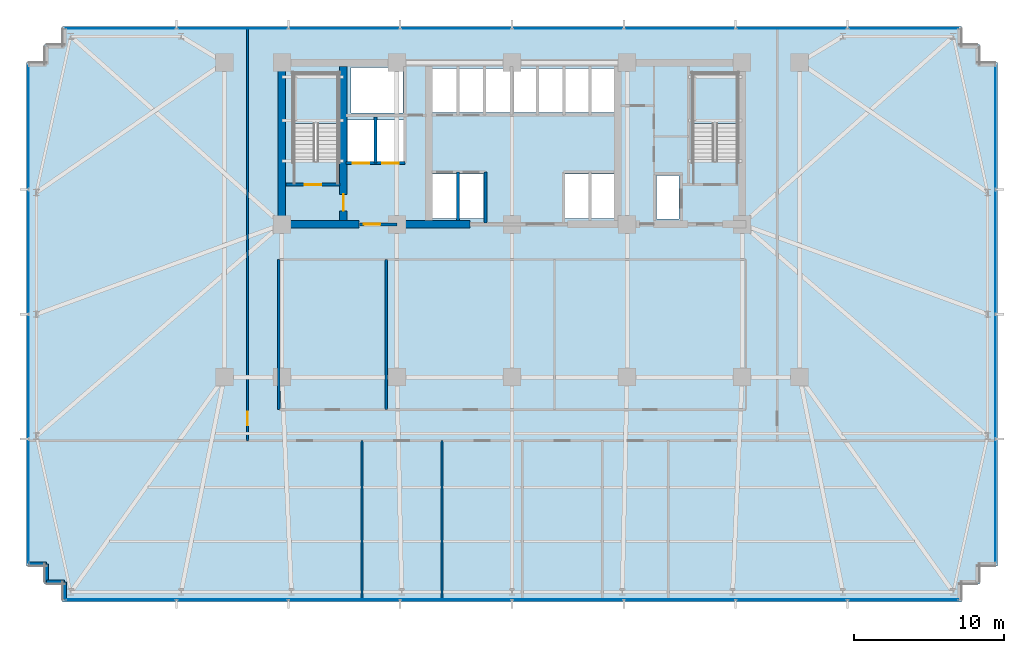
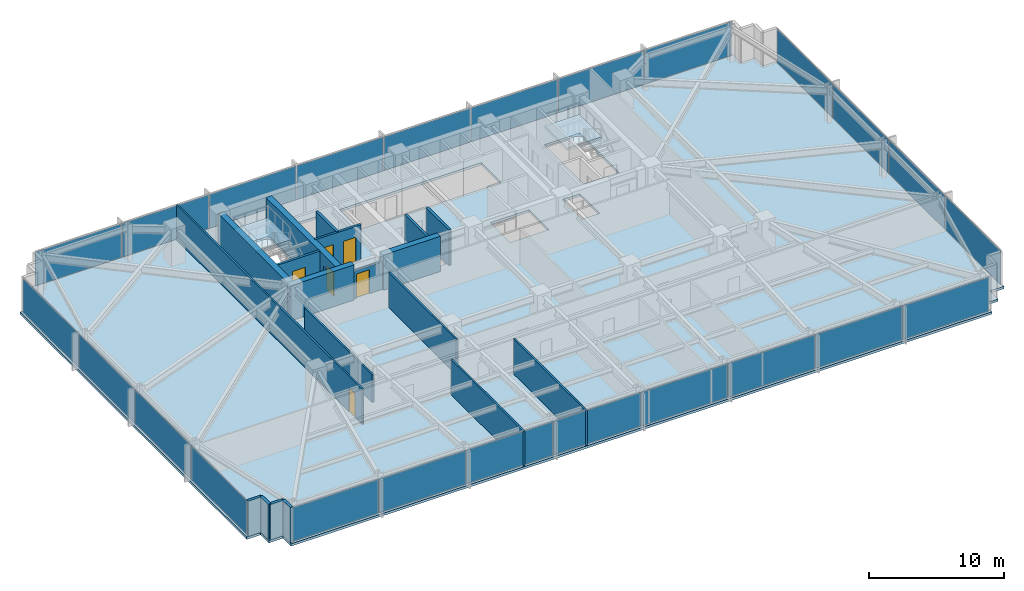
# One storey, part 24 of 32: 24 plates, 19 walls, 6 doors, 3 slabs, 6 openings, 6 elements without a shape of their own.
"""IFC4 building model written with IfcOpenShell, lengths in metres."""

from ifc_helpers import new_model, si_unit, direction, frame, frame_2d, origin, origin_2d, place, context, subcontext, project, spatial, polyline, rectangle, outline, extrude, material, layer, layer_set, type_object, element, fill, aggregate, save


model = new_model("IFC4")

# Units and contexts
model_context = context("Model", 3, precision=1e-05, world=origin(), true_north=direction((0.0, 1.0)))
body_context = subcontext(model_context, "Body", "Model", "MODEL_VIEW")
ifc_project = project(units=[si_unit("LENGTHUNIT", "METRE"), si_unit("AREAUNIT", "SQUARE_METRE"), si_unit("VOLUMEUNIT", "CUBIC_METRE"), si_unit("PLANEANGLEUNIT", "RADIAN"), si_unit("MASSUNIT", "GRAM", prefix="KILO")], contexts=[model_context])

# Site, building, storey
site_placement = place(None, origin())
site = spatial("IfcSite", under=ifc_project, at=site_placement, CompositionType="ELEMENT")
building_placement = place(site_placement, origin())
building = spatial("IfcBuilding", under=site, at=building_placement, Name="Yelkora Congress Tower", CompositionType="ELEMENT")
storey_placement = place(building_placement, frame((0.0, 0.0, 40.60009765625)))
storey = spatial("IfcBuildingStorey", under=building, at=storey_placement, Name="L09", CompositionType="ELEMENT", Elevation=40.60009765625)

# Curtain wall, plates
ifc_material_1 = material(Name="Anodised aluminium and insulated glass", Category="aluminium")
curtain_wall_type = type_object("IfcCurtainWallType", Name="CW-SYS-B1", PredefinedType="NOTDEFINED", material=ifc_material_1)
curtain_wall_1_placement = place(storey_placement, origin())
curtain_wall_1 = element("IfcCurtainWall", 1, at=curtain_wall_1_placement, inside=storey, type_object=curtain_wall_type, Name="L09 Unitised Curtain Wall 5", PredefinedType="NOTDEFINED")
ifc_material_2 = material(Name="Solar-control low-E glass unit B1", Category="glass")
ifc_layer_1 = layer(ifc_material_2, 0.0400390625)
ifc_layer_set_1 = layer_set([ifc_layer_1], Name="Solar-control low-E glass unit B1")
plate_type = type_object("IfcPlateType", Name="PLT-PN-B1", PredefinedType="CURTAIN_PANEL", material=ifc_layer_set_1)
plate_1_placement = place(storey_placement, frame((6.139892578125, 16.923828125, 0.06494140625), z_axis=(0.0, 0.0, 1.0), x_axis=(0.0, 1.0, 0.0)))
plate_1 = element("IfcPlate", 2, at=plate_1_placement, type_object=plate_type, Name="CW-B1 panel 1.1", PredefinedType="CURTAIN_PANEL", context=body_context, shape_type="SweptSolid", body=[
    extrude(rectangle(XDim=8.217529296875, YDim=0.0400390625, at=origin_2d()), origin(), (0.0, 0.0, 1.0), 3.050048828125),
])
plate_2_placement = place(storey_placement, frame((6.139892578125, 25.235107421875, 0.06494140625), z_axis=(0.0, 0.0, 1.0), x_axis=(0.0, 1.0, 0.0)))
plate_2 = element("IfcPlate", 3, at=plate_2_placement, type_object=plate_type, Name="CW-B1 panel 2.1", PredefinedType="CURTAIN_PANEL", context=body_context, shape_type="SweptSolid", body=[
    extrude(rectangle(XDim=8.2548828125, YDim=0.0400390625, at=origin_2d()), origin(), (0.0, 0.0, 1.0), 3.050048828125),
])
plate_3_placement = place(storey_placement, frame((6.139892578125, 33.56494140625, 0.06494140625), z_axis=(0.0, 0.0, 1.0), x_axis=(0.0, 1.0, 0.0)))
plate_3 = element("IfcPlate", 4, at=plate_3_placement, type_object=plate_type, Name="CW-B1 panel 3.1", PredefinedType="CURTAIN_PANEL", context=body_context, shape_type="SweptSolid", body=[
    extrude(rectangle(XDim=8.2548828125, YDim=0.0400390625, at=origin_2d()), origin(), (0.0, 0.0, 1.0), 3.050048828125),
])
plate_4_placement = place(storey_placement, frame((6.139892578125, 41.876220703125, 0.06494140625), z_axis=(0.0, 0.0, 1.0), x_axis=(0.0, 1.0, 0.0)))
plate_4 = element("IfcPlate", 5, at=plate_4_placement, type_object=plate_type, Name="CW-B1 panel 4.1", PredefinedType="CURTAIN_PANEL", context=body_context, shape_type="SweptSolid", body=[
    extrude(rectangle(XDim=8.217529296875, YDim=0.0400390625, at=origin_2d()), origin(), (0.0, 0.0, 1.0), 3.050048828125),
])
aggregate(curtain_wall_1, [plate_1, plate_2, plate_3, plate_4])

curtain_wall_2_placement = place(storey_placement, origin())
curtain_wall_2 = element("IfcCurtainWall", 6, at=curtain_wall_2_placement, inside=storey, type_object=curtain_wall_type, Name="L09 Unitised Curtain Wall 10", PredefinedType="NOTDEFINED")
plate_5_placement = place(storey_placement, frame((12.291259765625, 48.4599609375, 0.06494140625), z_axis=(0.0, 0.0, 1.0), x_axis=(1.0, 0.0, 0.0)))
plate_5 = element("IfcPlate", 7, at=plate_5_placement, type_object=plate_type, Name="CW-B1 panel 1.1", PredefinedType="CURTAIN_PANEL", context=body_context, shape_type="SweptSolid", body=[
    extrude(rectangle(XDim=7.3525390625, YDim=0.0400390625, at=origin_2d()), origin(), (0.0, 0.0, 1.0), 3.050048828125),
])
plate_6_placement = place(storey_placement, frame((19.737548828125, 48.4599609375, 0.06494140625), z_axis=(0.0, 0.0, 1.0), x_axis=(1.0, 0.0, 0.0)))
plate_6 = element("IfcPlate", 8, at=plate_6_placement, type_object=plate_type, Name="CW-B1 panel 2.1", PredefinedType="CURTAIN_PANEL", context=body_context, shape_type="SweptSolid", body=[
    extrude(rectangle(XDim=7.389892578125, YDim=0.0400390625, at=origin_2d()), origin(), (0.0, 0.0, 1.0), 3.050048828125),
])
plate_7_placement = place(storey_placement, frame((27.202392578125, 48.4599609375, 0.06494140625), z_axis=(0.0, 0.0, 1.0), x_axis=(1.0, 0.0, 0.0)))
plate_7 = element("IfcPlate", 9, at=plate_7_placement, type_object=plate_type, Name="CW-B1 panel 3.1", PredefinedType="CURTAIN_PANEL", context=body_context, shape_type="SweptSolid", body=[
    extrude(rectangle(XDim=7.389892578125, YDim=0.0400390625, at=origin_2d()), origin(), (0.0, 0.0, 1.0), 3.050048828125),
])
plate_8_placement = place(storey_placement, frame((34.66748046875, 48.4599609375, 0.06494140625), z_axis=(0.0, 0.0, 1.0), x_axis=(1.0, 0.0, 0.0)))
plate_8 = element("IfcPlate", 10, at=plate_8_placement, type_object=plate_type, Name="CW-B1 panel 4.1", PredefinedType="CURTAIN_PANEL", context=body_context, shape_type="SweptSolid", body=[
    extrude(rectangle(XDim=7.389892578125, YDim=0.0400390625, at=origin_2d()), origin(), (0.0, 0.0, 1.0), 3.050048828125),
])
plate_9_placement = place(storey_placement, frame((42.132568359375, 48.4599609375, 0.06494140625), z_axis=(0.0, 0.0, 1.0), x_axis=(1.0, 0.0, 0.0)))
plate_9 = element("IfcPlate", 11, at=plate_9_placement, type_object=plate_type, Name="CW-B1 panel 5.1", PredefinedType="CURTAIN_PANEL", context=body_context, shape_type="SweptSolid", body=[
    extrude(rectangle(XDim=7.389892578125, YDim=0.0400390625, at=origin_2d()), origin(), (0.0, 0.0, 1.0), 3.050048828125),
])
plate_10_placement = place(storey_placement, frame((49.597412109375, 48.4599609375, 0.06494140625), z_axis=(0.0, 0.0, 1.0), x_axis=(1.0, 0.0, 0.0)))
plate_10 = element("IfcPlate", 12, at=plate_10_placement, type_object=plate_type, Name="CW-B1 panel 6.1", PredefinedType="CURTAIN_PANEL", context=body_context, shape_type="SweptSolid", body=[
    extrude(rectangle(XDim=7.389892578125, YDim=0.0400390625, at=origin_2d()), origin(), (0.0, 0.0, 1.0), 3.050048828125),
])
plate_11_placement = place(storey_placement, frame((57.0625, 48.4599609375, 0.06494140625), z_axis=(0.0, 0.0, 1.0), x_axis=(1.0, 0.0, 0.0)))
plate_11 = element("IfcPlate", 13, at=plate_11_placement, type_object=plate_type, Name="CW-B1 panel 7.1", PredefinedType="CURTAIN_PANEL", context=body_context, shape_type="SweptSolid", body=[
    extrude(rectangle(XDim=7.389892578125, YDim=0.0400390625, at=origin_2d()), origin(), (0.0, 0.0, 1.0), 3.050048828125),
])
plate_12_placement = place(storey_placement, frame((64.5087890625, 48.4599609375, 0.06494140625), z_axis=(0.0, 0.0, 1.0), x_axis=(1.0, 0.0, 0.0)))
plate_12 = element("IfcPlate", 14, at=plate_12_placement, type_object=plate_type, Name="CW-B1 panel 8.1", PredefinedType="CURTAIN_PANEL", context=body_context, shape_type="SweptSolid", body=[
    extrude(rectangle(XDim=7.3525390625, YDim=0.0400390625, at=origin_2d()), origin(), (0.0, 0.0, 1.0), 3.050048828125),
])
aggregate(curtain_wall_2, [plate_5, plate_6, plate_7, plate_8, plate_9, plate_10, plate_11, plate_12])

curtain_wall_3_placement = place(storey_placement, origin())
curtain_wall_3 = element("IfcCurtainWall", 15, at=curtain_wall_3_placement, inside=storey, type_object=curtain_wall_type, Name="L09 Unitised Curtain Wall 15", PredefinedType="NOTDEFINED")
plate_13_placement = place(storey_placement, frame((70.659912109375, 41.876220703125, 0.06494140625), z_axis=(0.0, 0.0, 1.0), x_axis=(0.0, -1.0, 0.0)))
plate_13 = element("IfcPlate", 16, at=plate_13_placement, type_object=plate_type, Name="CW-B1 panel 1.1", PredefinedType="CURTAIN_PANEL", context=body_context, shape_type="SweptSolid", body=[
    extrude(rectangle(XDim=8.217529296875, YDim=0.0400390625, at=origin_2d()), origin(), (0.0, 0.0, 1.0), 3.050048828125),
])
plate_14_placement = place(storey_placement, frame((70.659912109375, 33.56494140625, 0.06494140625), z_axis=(0.0, 0.0, 1.0), x_axis=(0.0, -1.0, 0.0)))
plate_14 = element("IfcPlate", 17, at=plate_14_placement, type_object=plate_type, Name="CW-B1 panel 2.1", PredefinedType="CURTAIN_PANEL", context=body_context, shape_type="SweptSolid", body=[
    extrude(rectangle(XDim=8.2548828125, YDim=0.0400390625, at=origin_2d()), origin(), (0.0, 0.0, 1.0), 3.050048828125),
])
plate_15_placement = place(storey_placement, frame((70.659912109375, 25.235107421875, 0.06494140625), z_axis=(0.0, 0.0, 1.0), x_axis=(0.0, -1.0, 0.0)))
plate_15 = element("IfcPlate", 18, at=plate_15_placement, type_object=plate_type, Name="CW-B1 panel 3.1", PredefinedType="CURTAIN_PANEL", context=body_context, shape_type="SweptSolid", body=[
    extrude(rectangle(XDim=8.2548828125, YDim=0.0400390625, at=origin_2d()), origin(), (0.0, 0.0, 1.0), 3.050048828125),
])
plate_16_placement = place(storey_placement, frame((70.659912109375, 16.923828125, 0.06494140625), z_axis=(0.0, 0.0, 1.0), x_axis=(0.0, -1.0, 0.0)))
plate_16 = element("IfcPlate", 19, at=plate_16_placement, type_object=plate_type, Name="CW-B1 panel 4.1", PredefinedType="CURTAIN_PANEL", context=body_context, shape_type="SweptSolid", body=[
    extrude(rectangle(XDim=8.217529296875, YDim=0.0400390625, at=origin_2d()), origin(), (0.0, 0.0, 1.0), 3.050048828125),
])
aggregate(curtain_wall_3, [plate_13, plate_14, plate_15, plate_16])

curtain_wall_4_placement = place(storey_placement, origin())
curtain_wall_4 = element("IfcCurtainWall", 20, at=curtain_wall_4_placement, inside=storey, type_object=curtain_wall_type, Name="L09 Unitised Curtain Wall 20", PredefinedType="NOTDEFINED")
plate_17_placement = place(storey_placement, frame((64.5087890625, 10.340087890625, 0.06494140625), z_axis=(0.0, 0.0, 1.0), x_axis=(-1.0, 0.0, 0.0)))
plate_17 = element("IfcPlate", 21, at=plate_17_placement, type_object=plate_type, Name="CW-B1 panel 1.1", PredefinedType="CURTAIN_PANEL", context=body_context, shape_type="SweptSolid", body=[
    extrude(rectangle(XDim=7.3525390625, YDim=0.0400390625, at=origin_2d()), origin(), (0.0, 0.0, 1.0), 3.050048828125),
])
plate_18_placement = place(storey_placement, frame((57.0625, 10.340087890625, 0.06494140625), z_axis=(0.0, 0.0, 1.0), x_axis=(-1.0, 0.0, 0.0)))
plate_18 = element("IfcPlate", 22, at=plate_18_placement, type_object=plate_type, Name="CW-B1 panel 2.1", PredefinedType="CURTAIN_PANEL", context=body_context, shape_type="SweptSolid", body=[
    extrude(rectangle(XDim=7.389892578125, YDim=0.0400390625, at=origin_2d()), origin(), (0.0, 0.0, 1.0), 3.050048828125),
])
plate_19_placement = place(storey_placement, frame((49.597412109375, 10.340087890625, 0.06494140625), z_axis=(0.0, 0.0, 1.0), x_axis=(-1.0, 0.0, 0.0)))
plate_19 = element("IfcPlate", 23, at=plate_19_placement, type_object=plate_type, Name="CW-B1 panel 3.1", PredefinedType="CURTAIN_PANEL", context=body_context, shape_type="SweptSolid", body=[
    extrude(rectangle(XDim=7.389892578125, YDim=0.0400390625, at=origin_2d()), origin(), (0.0, 0.0, 1.0), 3.050048828125),
])
plate_20_placement = place(storey_placement, frame((42.132568359375, 10.340087890625, 0.06494140625), z_axis=(0.0, 0.0, 1.0), x_axis=(-1.0, 0.0, 0.0)))
plate_20 = element("IfcPlate", 24, at=plate_20_placement, type_object=plate_type, Name="CW-B1 panel 4.1", PredefinedType="CURTAIN_PANEL", context=body_context, shape_type="SweptSolid", body=[
    extrude(rectangle(XDim=7.389892578125, YDim=0.0400390625, at=origin_2d()), origin(), (0.0, 0.0, 1.0), 3.050048828125),
])
plate_21_placement = place(storey_placement, frame((34.66748046875, 10.340087890625, 0.06494140625), z_axis=(0.0, 0.0, 1.0), x_axis=(-1.0, 0.0, 0.0)))
plate_21 = element("IfcPlate", 25, at=plate_21_placement, type_object=plate_type, Name="CW-B1 panel 5.1", PredefinedType="CURTAIN_PANEL", context=body_context, shape_type="SweptSolid", body=[
    extrude(rectangle(XDim=7.389892578125, YDim=0.0400390625, at=origin_2d()), origin(), (0.0, 0.0, 1.0), 3.050048828125),
])
plate_22_placement = place(storey_placement, frame((27.202392578125, 10.340087890625, 0.06494140625), z_axis=(0.0, 0.0, 1.0), x_axis=(-1.0, 0.0, 0.0)))
plate_22 = element("IfcPlate", 26, at=plate_22_placement, type_object=plate_type, Name="CW-B1 panel 6.1", PredefinedType="CURTAIN_PANEL", context=body_context, shape_type="SweptSolid", body=[
    extrude(rectangle(XDim=7.389892578125, YDim=0.0400390625, at=origin_2d()), origin(), (0.0, 0.0, 1.0), 3.050048828125),
])
plate_23_placement = place(storey_placement, frame((19.737548828125, 10.340087890625, 0.06494140625), z_axis=(0.0, 0.0, 1.0), x_axis=(-1.0, 0.0, 0.0)))
plate_23 = element("IfcPlate", 27, at=plate_23_placement, type_object=plate_type, Name="CW-B1 panel 7.1", PredefinedType="CURTAIN_PANEL", context=body_context, shape_type="SweptSolid", body=[
    extrude(rectangle(XDim=7.389892578125, YDim=0.0400390625, at=origin_2d()), origin(), (0.0, 0.0, 1.0), 3.050048828125),
])
plate_24_placement = place(storey_placement, frame((12.291259765625, 10.340087890625, 0.06494140625), z_axis=(0.0, 0.0, 1.0), x_axis=(-1.0, 0.0, 0.0)))
plate_24 = element("IfcPlate", 28, at=plate_24_placement, type_object=plate_type, Name="CW-B1 panel 8.1", PredefinedType="CURTAIN_PANEL", context=body_context, shape_type="SweptSolid", body=[
    extrude(rectangle(XDim=7.3525390625, YDim=0.0400390625, at=origin_2d()), origin(), (0.0, 0.0, 1.0), 3.050048828125),
])
aggregate(curtain_wall_4, [plate_17, plate_18, plate_19, plate_20, plate_21, plate_22, plate_23, plate_24])

# Stair, slab
ifc_material_3 = material(Name="Concrete C40/50", Category="concrete")
stair_type = type_object("IfcStairType", Name="STAIR-HT-1420-R20-170", PredefinedType="HALF_TURN_STAIR", material=ifc_material_3)
stair_1_placement = place(storey_placement, origin())
stair_1 = element("IfcStair", 29, at=stair_1_placement, inside=storey, type_object=stair_type, Name="West Core Protected Exit Stair ST-01 (L09)", PredefinedType="HALF_TURN_STAIR")
ifc_layer_2 = layer(ifc_material_3, 0.219970703125)
ifc_layer_set_2 = layer_set([ifc_layer_2], Name="Concrete C40/50")
slab_type_1 = type_object("IfcSlabType", Name="SLAB-LANDING-220", PredefinedType="LANDING", material=ifc_layer_set_2)
slab_1_placement = place(storey_placement, frame((0.0, 0.0, 1.47998046875)))
slab_1 = element("IfcSlab", 30, at=slab_1_placement, type_object=slab_type_1, Name="ST-01 L09 Half Landing 1", PredefinedType="LANDING", context=body_context, shape_type="SweptSolid", body=[
    extrude(outline(polyline([(26.820068359375, 42.1201171875), (26.820068359375, 45.469970703125), (23.820068359375, 45.469970703125), (23.820068359375, 42.1201171875), (26.820068359375, 42.1201171875)])), origin(), (0.0, 0.0, 1.0), 0.219970703125),
])
aggregate(stair_1, [slab_1])

stair_2_placement = place(storey_placement, origin())
stair_2 = element("IfcStair", 31, at=stair_2_placement, inside=storey, type_object=stair_type, Name="East Core Protected Exit Stair ST-02 (L09)", PredefinedType="HALF_TURN_STAIR")
slab_2_placement = place(storey_placement, frame((0.0, 0.0, 1.47998046875)))
slab_2 = element("IfcSlab", 32, at=slab_2_placement, type_object=slab_type_1, Name="ST-02 L09 Half Landing 1", PredefinedType="LANDING", context=body_context, shape_type="SweptSolid", body=[
    extrude(outline(polyline([(53.4599609375, 42.1201171875), (53.4599609375, 45.469970703125), (50.4599609375, 45.469970703125), (50.4599609375, 42.1201171875), (53.4599609375, 42.1201171875)])), origin(), (0.0, 0.0, 1.0), 0.219970703125),
])
aggregate(stair_2, [slab_2])

# Slab
ifc_layer_3 = layer(ifc_material_3, 0.219970703125)
ifc_layer_set_3 = layer_set([ifc_layer_3], Name="Concrete C40/50")
slab_type_2 = type_object("IfcSlabType", Name="SLAB-TWR-220", PredefinedType="FLOOR", material=ifc_layer_set_3)
slab_3_placement = place(storey_placement, frame((0.0, 0.0, -0.22021484375)))
element("IfcSlab", 33, at=slab_3_placement, inside=storey, type_object=slab_type_2, Name="L09 Structural Floor Slab", PredefinedType="FLOOR", context=body_context, shape_type="SweptSolid", body=[
    extrude(outline(polyline([(8.39990234375, 10.199951171875), (68.39990234375, 10.199951171875), (68.39990234375, 11.39990234375), (69.60009765625, 11.39990234375), (69.60009765625, 12.60009765625), (70.800048828125, 12.60009765625), (70.800048828125, 46.199951171875), (69.60009765625, 46.199951171875), (69.60009765625, 47.39990234375), (68.39990234375, 47.39990234375), (68.39990234375, 48.60009765625), (8.39990234375, 48.60009765625), (8.39990234375, 47.39990234375), (7.199951171875, 47.39990234375), (7.199951171875, 46.199951171875), (6.0, 46.199951171875), (6.0, 12.60009765625), (7.199951171875, 12.60009765625), (7.199951171875, 11.39990234375), (8.39990234375, 11.39990234375), (8.39990234375, 10.199951171875)]), holes=[polyline([(23.820068359375, 39.6298828125), (26.820068359375, 39.6298828125), (26.820068359375, 45.469970703125), (23.820068359375, 45.469970703125), (23.820068359375, 39.6298828125)]), polyline([(50.4599609375, 39.6298828125), (53.4599609375, 39.6298828125), (53.4599609375, 45.469970703125), (50.4599609375, 45.469970703125), (50.4599609375, 39.6298828125)]), polyline([(48.050048828125, 35.75), (49.550048828125, 35.75), (49.550048828125, 38.64990234375), (48.050048828125, 38.64990234375), (48.050048828125, 35.75)]), polyline([(41.949951171875, 35.800048828125), (45.25, 35.800048828125), (45.25, 38.75), (41.949951171875, 38.75), (41.949951171875, 35.800048828125)]), polyline([(33.10009765625, 42.85009765625), (45.25, 42.85009765625), (45.25, 45.800048828125), (33.10009765625, 45.800048828125), (33.10009765625, 42.85009765625)]), polyline([(33.10009765625, 35.800048828125), (36.5, 35.800048828125), (36.5, 38.75), (33.10009765625, 38.75), (33.10009765625, 35.800048828125)]), polyline([(27.419921875, 39.60009765625), (31.179931640625, 39.60009765625), (31.179931640625, 42.35009765625), (27.419921875, 42.35009765625), (27.419921875, 39.60009765625)]), polyline([(27.64990234375, 42.820068359375), (31.1201171875, 42.820068359375), (31.1201171875, 45.8798828125), (27.64990234375, 45.8798828125), (27.64990234375, 42.820068359375)])]), origin(), (0.0, 0.0, 1.0), 0.22021484375),
])

# Walls
ifc_material_4 = material(Name="Concrete C60/75", Category="concrete")
ifc_layer_4 = layer(ifc_material_4, 0.5)
ifc_layer_set_4 = layer_set([ifc_layer_4], Name="Concrete C60/75")
wall_type_1 = type_object("IfcWallType", Name="WALL-CORE-INT-500", PredefinedType="SHEAR", material=ifc_layer_set_4)
wall_1_placement = place(storey_placement, frame((22.7900390625, 35.39990234375, 0.0), z_axis=(0.0, 0.0, 1.0), x_axis=(1.0, 0.0, 0.0)))
element("IfcWall", 34, at=wall_1_placement, inside=storey, type_object=wall_type_1, Name="L09 Rear Core South-West Shear Wall", PredefinedType="SHEAR", context=body_context, shape_type="SweptSolid", body=[
    extrude(rectangle(XDim=5.409912109375, YDim=0.5, at=frame_2d((2.705078125, 0.0))), origin(), (0.0, 0.0, 1.0), 3.179931640625),
])
wall_2_placement = place(storey_placement, frame((30.719970703125, 35.39990234375, 0.0), z_axis=(0.0, 0.0, 1.0), x_axis=(1.0, 0.0, 0.0)))
element("IfcWall", 35, at=wall_2_placement, inside=storey, type_object=wall_type_1, Name="L09 Rear Core South-Center Shear Pier", PredefinedType="SHEAR", context=body_context, shape_type="SweptSolid", body=[
    extrude(rectangle(XDim=4.880126953125, YDim=0.5, at=frame_2d((2.43994140625, 0.0))), origin(), (0.0, 0.0, 1.0), 3.179931640625),
])
wall_3_placement = place(storey_placement, frame((23.0400390625, 35.64990234375, 0.0), z_axis=(0.0, 0.0, 1.0), x_axis=(0.0, 1.0, 0.0)))
element("IfcWall", 36, at=wall_3_placement, inside=storey, type_object=wall_type_1, Name="L09 Rear Core Cross Shear Wall W", PredefinedType="SHEAR", context=body_context, shape_type="SweptSolid", body=[
    extrude(rectangle(XDim=10.300048828125, YDim=0.5, at=frame_2d((5.14990234375, 0.0))), origin(), (0.0, 0.0, 1.0), 3.179931640625),
])

# Wall, opening, door
wall_4_placement = place(storey_placement, frame((27.14990234375, 35.64990234375, 0.0), z_axis=(0.0, 0.0, 1.0), x_axis=(0.0, 1.0, 0.0)))
wall_4 = element("IfcWall", 37, at=wall_4_placement, inside=storey, type_object=wall_type_1, Name="L09 Rear Core Cross Shear Wall C1", PredefinedType="SHEAR", context=body_context, shape_type="SweptSolid", body=[
    extrude(rectangle(XDim=10.300048828125, YDim=0.5, at=frame_2d((5.14990234375, 0.0))), origin(), (0.0, 0.0, 1.0), 3.179931640625),
])
opening_1_placement = place(wall_4_placement, frame((0.64990234375, 0.0, 0.0)))
opening_1 = element("IfcOpeningElement", 38, at=opening_1_placement, cuts=wall_4, Name="Opening DR-110F9", PredefinedType="OPENING", context=body_context, shape_type="SweptSolid", body=[
    extrude(rectangle(XDim=1.10009765625, YDim=2.14990234375, at=frame_2d((0.550048828125, 1.074951171875))), frame((0.0, 0.260009765625, 0.0), z_axis=(0.0, -1.0, 0.0), x_axis=(1.0, 0.0, 0.0)), (0.0, 0.0, 1.0), 0.52001953125),
])
ifc_material_5 = material(Name="Galvanised steel fire door leaf", Category="steel")
door_type_1 = type_object("IfcDoorType", Name="DOOR-FD90-1100", OperationType="NOTDEFINED", PredefinedType="DOOR", material=ifc_material_5)
door_1_placement = place(opening_1_placement, origin())
door_1 = element("IfcDoor", 39, at=door_1_placement, inside=storey, type_object=door_type_1, Name="L09 Firefighting Stair Transfer Door", OperationType="SINGLE_SWING_LEFT", OverallHeight=2.14990234375, OverallWidth=1.10009765625, PredefinedType="DOOR", context=body_context, shape_type="SweptSolid", body=[
    extrude(rectangle(XDim=1.10009765625, YDim=2.14990234375, at=frame_2d((0.550048828125, 1.074951171875))), frame((0.0, 0.02490234375, 0.0), z_axis=(0.0, -1.0, 0.0), x_axis=(1.0, 0.0, 0.0)), (0.0, 0.0, 1.0), 0.050048828125),
])
fill(opening_1, door_1)

# Walls
ifc_layer_5 = layer(ifc_material_3, 0.239990234375)
ifc_layer_set_5 = layer_set([ifc_layer_5], Name="Concrete C40/50")
wall_type_2 = type_object("IfcWallType", Name="WALL-EXT-LIMESTONE-240", PredefinedType="SOLIDWALL", material=ifc_layer_set_5)
for number, where, z_axis, x_axis, name in (
    (40, (8.5400390625, 10.340087890625, 0.0), (0.0, 0.0, 1.0), (0.0, 1.0, 0.0), "L09 Serrated Corner Limestone Pier 1"),
    (41, (8.5400390625, 11.5400390625, 0.0), (0.0, 0.0, 1.0), (-1.0, 0.0, 0.0), "L09 Serrated Corner Limestone Pier 2"),
    (42, (7.340087890625, 11.5400390625, 0.0), (0.0, 0.0, 1.0), (0.0, 1.0, 0.0), "L09 Serrated Corner Limestone Pier 3"),
):
    element("IfcWall", number, at=place(storey_placement, frame(where, z_axis=z_axis, x_axis=x_axis)), inside=storey, type_object=wall_type_2, Name=name, PredefinedType="SOLIDWALL", context=body_context, shape_type="SweptSolid", body=[
        extrude(rectangle(XDim=1.199951171875, YDim=0.239990234375, at=frame_2d((0.60009765625, 0.0))), origin(), (0.0, 0.0, 1.0), 3.179931640625),
    ])
wall_5_placement = place(storey_placement, frame((7.340087890625, 12.739990234375, 0.0), z_axis=(0.0, 0.0, 1.0), x_axis=(-1.0, 0.0, 0.0)))
element("IfcWall", 43, at=wall_5_placement, inside=storey, type_object=wall_type_2, Name="L09 Serrated Corner Limestone Pier 4", PredefinedType="SOLIDWALL", context=body_context, shape_type="SweptSolid", body=[
    extrude(rectangle(XDim=1.2001953125, YDim=0.239990234375, at=frame_2d((0.60009765625, 0.0))), origin(), (0.0, 0.0, 1.0), 3.179931640625),
])
ifc_material_6 = material(Name="Acoustic metal-stud gypsum partition", Category="gypsum")
ifc_layer_6 = layer(ifc_material_6, 0.14990234375)
ifc_layer_set_6 = layer_set([ifc_layer_6], Name="Acoustic metal-stud gypsum partition")
wall_type_3 = type_object("IfcWallType", Name="WALL-INT-150-NR", PredefinedType="PARTITIONING", material=ifc_layer_set_6)
for number, where, z_axis, x_axis, name in (
    (44, (28.383056640625, 10.280029296875, 0.0), (0.0, 0.0, 1.0), (0.0, 1.0, 0.0), "L09 Partition Wall 31"),
    (45, (33.72998046875, 10.280029296875, 0.0), (0.0, 0.0, 1.0), (0.0, 1.0, 0.0), "L09 Partition Wall 32"),
):
    element("IfcWall", number, at=place(storey_placement, frame(where, z_axis=z_axis, x_axis=x_axis)), inside=storey, type_object=wall_type_3, Name=name, PredefinedType="PARTITIONING", context=body_context, shape_type="SweptSolid", body=[
        extrude(rectangle(XDim=10.68994140625, YDim=0.14990234375, at=frame_2d((5.344970703125, 0.0))), origin(), (0.0, 0.0, 1.0), 3.179931640625),
    ])

# Wall, opening, door
wall_6_placement = place(storey_placement, frame((20.75, 20.949951171875, 0.0), z_axis=(0.0, 0.0, 1.0), x_axis=(0.0, 1.0, 0.0)))
wall_6 = element("IfcWall", 46, at=wall_6_placement, inside=storey, type_object=wall_type_3, Name="L09 Partition Wall 37", PredefinedType="PARTITIONING", context=body_context, shape_type="SweptSolid", body=[
    extrude(rectangle(XDim=27.570068359375, YDim=0.14990234375, at=frame_2d((13.78515625, 0.0))), origin(), (0.0, 0.0, 1.0), 3.179931640625),
])
opening_2_placement = place(wall_6_placement, frame((1.030029296875, 0.0, 0.0)))
opening_2 = element("IfcOpeningElement", 47, at=opening_2_placement, cuts=wall_6, Name="Opening DR-090N", PredefinedType="OPENING", context=body_context, shape_type="SweptSolid", body=[
    extrude(rectangle(XDim=0.89990234375, YDim=2.14990234375, at=frame_2d((0.449951171875, 1.074951171875))), frame((0.0, 0.0849609375, 0.0), z_axis=(0.0, -1.0, 0.0), x_axis=(1.0, 0.0, 0.0)), (0.0, 0.0, 1.0), 0.169921875),
])
ifc_material_7 = material(Name="Moisture-resistant laminate door leaf", Category="wood")
door_type_2 = type_object("IfcDoorType", Name="DOOR-INT-900", OperationType="NOTDEFINED", PredefinedType="DOOR", material=ifc_material_7)
door_2_placement = place(opening_2_placement, origin())
door_2 = element("IfcDoor", 48, at=door_2_placement, inside=storey, type_object=door_type_2, Name="L09 W Wing Door", OperationType="SINGLE_SWING_LEFT", OverallHeight=2.14990234375, OverallWidth=0.89990234375, PredefinedType="DOOR", context=body_context, shape_type="SweptSolid", body=[
    extrude(rectangle(XDim=0.89990234375, YDim=2.14990234375, at=frame_2d((0.449951171875, 1.074951171875))), frame((0.0, 0.02490234375, 0.0), z_axis=(0.0, -1.0, 0.0), x_axis=(1.0, 0.0, 0.0)), (0.0, 0.0, 1.0), 0.050048828125),
])
fill(opening_2, door_2)

# Walls
wall_7_placement = place(storey_placement, frame((22.830078125, 23.030029296875, 0.0), z_axis=(0.0, 0.0, 1.0), x_axis=(0.0, 1.0, 0.0)))
element("IfcWall", 49, at=wall_7_placement, inside=storey, type_object=wall_type_3, Name="L09 Partition Wall 39", PredefinedType="PARTITIONING", context=body_context, shape_type="SweptSolid", body=[
    extrude(rectangle(XDim=10.02001953125, YDim=0.14990234375, at=frame_2d((5.010009765625, 0.0))), origin(), (0.0, 0.0, 1.0), 2.474853515625),
])
wall_8_placement = place(storey_placement, frame((30.009033203125, 23.030029296875, 0.0), z_axis=(0.0, 0.0, 1.0), x_axis=(0.0, 1.0, 0.0)))
element("IfcWall", 50, at=wall_8_placement, inside=storey, type_object=wall_type_3, Name="L09 Partition Wall 42", PredefinedType="PARTITIONING", context=body_context, shape_type="SweptSolid", body=[
    extrude(rectangle(XDim=10.02001953125, YDim=0.14990234375, at=frame_2d((5.010009765625, 0.0))), origin(), (0.0, 0.0, 1.0), 3.179931640625),
])

# Wall, opening, door
ifc_material_8 = material(Name="Autoclaved aerated concrete blockwork", Category="masonry")
ifc_layer_7 = layer(ifc_material_8, 0.199951171875)
ifc_layer_set_7 = layer_set([ifc_layer_7], Name="Autoclaved aerated concrete blockwork")
wall_type_4 = type_object("IfcWallType", Name="WALL-INT-200-R120", PredefinedType="PARTITIONING", material=ifc_layer_set_7)
wall_9_placement = place(storey_placement, frame((23.300048828125, 38.050048828125, 0.0), z_axis=(0.0, 0.0, 1.0), x_axis=(1.0, 0.0, 0.0)))
wall_9 = element("IfcWall", 51, at=wall_9_placement, inside=storey, type_object=wall_type_4, Name="L09 Stair ST-01 Enclosure Wall", PredefinedType="PARTITIONING", context=body_context, shape_type="SweptSolid", body=[
    extrude(rectangle(XDim=3.619873046875, YDim=0.199951171875, at=frame_2d((1.81005859375, 0.0))), origin(), (0.0, 0.0, 1.0), 3.179931640625),
])
opening_3_placement = place(wall_9_placement, frame((1.260009765625, 0.0, 0.0)))
opening_3 = element("IfcOpeningElement", 52, at=opening_3_placement, cuts=wall_9, Name="Opening DR-110F9", PredefinedType="OPENING", context=body_context, shape_type="SweptSolid", body=[
    extrude(rectangle(XDim=1.10009765625, YDim=2.14990234375, at=frame_2d((0.550048828125, 1.074951171875))), frame((0.0, 0.10986328125, 0.0), z_axis=(0.0, -1.0, 0.0), x_axis=(1.0, 0.0, 0.0)), (0.0, 0.0, 1.0), 0.219970703125),
])
door_3_placement = place(opening_3_placement, origin())
door_3 = element("IfcDoor", 53, at=door_3_placement, inside=storey, type_object=door_type_1, Name="L09 Stair ST-01 Entry Door", OperationType="SINGLE_SWING_LEFT", OverallHeight=2.14990234375, OverallWidth=1.10009765625, PredefinedType="DOOR", context=body_context, shape_type="SweptSolid", body=[
    extrude(rectangle(XDim=1.10009765625, YDim=2.14990234375, at=frame_2d((0.550048828125, 1.074951171875))), frame((0.0, 0.02490234375, 0.0), z_axis=(0.0, -1.0, 0.0), x_axis=(1.0, 0.0, 0.0)), (0.0, 0.0, 1.0), 0.050048828125),
])
fill(opening_3, door_3)

wall_10_placement = place(storey_placement, frame((28.219970703125, 35.39990234375, 0.0), z_axis=(0.0, 0.0, 1.0), x_axis=(1.0, 0.0, 0.0)))
wall_10 = element("IfcWall", 54, at=wall_10_placement, inside=storey, type_object=wall_type_4, Name="L09 Firefighting Lobby South Wall", PredefinedType="PARTITIONING", context=body_context, shape_type="SweptSolid", body=[
    extrude(rectangle(XDim=2.5, YDim=0.199951171875, at=frame_2d((1.25, 0.0))), origin(), (0.0, 0.0, 1.0), 2.474853515625),
])
opening_4_placement = place(wall_10_placement, frame((0.300048828125, 0.0, 0.0)))
opening_4 = element("IfcOpeningElement", 55, at=opening_4_placement, cuts=wall_10, Name="Opening DR-110F9", PredefinedType="OPENING", context=body_context, shape_type="SweptSolid", body=[
    extrude(rectangle(XDim=1.10009765625, YDim=2.14990234375, at=frame_2d((0.550048828125, 1.074951171875))), frame((0.0, 0.10986328125, 0.0), z_axis=(0.0, -1.0, 0.0), x_axis=(1.0, 0.0, 0.0)), (0.0, 0.0, 1.0), 0.219970703125),
])
door_4_placement = place(opening_4_placement, origin())
door_4 = element("IfcDoor", 56, at=door_4_placement, inside=storey, type_object=door_type_1, Name="L09 Firefighting Lobby Corridor Door", OperationType="SINGLE_SWING_RIGHT", OverallHeight=2.14990234375, OverallWidth=1.10009765625, PredefinedType="DOOR", context=body_context, shape_type="SweptSolid", body=[
    extrude(rectangle(XDim=1.10009765625, YDim=2.14990234375, at=frame_2d((0.550048828125, 1.074951171875))), frame((0.0, 0.02490234375, 0.0), z_axis=(0.0, -1.0, 0.0), x_axis=(1.0, 0.0, 0.0)), (0.0, 0.0, 1.0), 0.050048828125),
])
fill(opening_4, door_4)

# Wall, openings, doors
wall_11_placement = place(storey_placement, frame((27.320068359375, 39.47998046875, 0.0), z_axis=(0.0, 0.0, 1.0), x_axis=(1.0, 0.0, 0.0)))
wall_11 = element("IfcWall", 57, at=wall_11_placement, inside=storey, type_object=wall_type_4, Name="L09 Firefighting Lift Front Wall", PredefinedType="PARTITIONING", context=body_context, shape_type="SweptSolid", body=[
    extrude(rectangle(XDim=3.93994140625, YDim=0.199951171875, at=frame_2d((1.969970703125, 0.0))), origin(), (0.0, 0.0, 1.0), 3.179931640625),
])
opening_5_placement = place(wall_11_placement, frame((0.449951171875, 0.0, 0.0)))
opening_5 = element("IfcOpeningElement", 58, at=opening_5_placement, cuts=wall_11, Name="Opening LD-FF11", PredefinedType="OPENING", context=body_context, shape_type="SweptSolid", body=[
    extrude(rectangle(XDim=1.10009765625, YDim=2.199951171875, at=frame_2d((0.550048828125, 1.10009765625))), frame((0.0, 0.10986328125, 0.0), z_axis=(0.0, -1.0, 0.0), x_axis=(1.0, 0.0, 0.0)), (0.0, 0.0, 1.0), 0.219970703125),
])
opening_6_placement = place(wall_11_placement, frame((2.409912109375, 0.0, 0.0)))
opening_6 = element("IfcOpeningElement", 59, at=opening_6_placement, cuts=wall_11, Name="Opening LD-FF11", PredefinedType="OPENING", context=body_context, shape_type="SweptSolid", body=[
    extrude(rectangle(XDim=1.10009765625, YDim=2.199951171875, at=frame_2d((0.550048828125, 1.10009765625))), frame((0.0, 0.10986328125, 0.0), z_axis=(0.0, -1.0, 0.0), x_axis=(1.0, 0.0, 0.0)), (0.0, 0.0, 1.0), 0.219970703125),
])
ifc_material_9 = material(Name="Brushed stainless steel 316L landing door", Category="steel")
door_type_3 = type_object("IfcDoorType", Name="DOOR-LIFT-FF-1100", OperationType="DOUBLE_DOOR_SLIDING", PredefinedType="DOOR", material=ifc_material_9)
door_5_placement = place(opening_5_placement, origin())
door_5 = element("IfcDoor", 60, at=door_5_placement, inside=storey, type_object=door_type_3, Name="Lift Landing Door LF-FF1 L09", OperationType="DOUBLE_DOOR_SLIDING", OverallHeight=2.199951171875, OverallWidth=1.10009765625, PredefinedType="DOOR", context=body_context, shape_type="SweptSolid", body=[
    extrude(rectangle(XDim=1.10009765625, YDim=2.199951171875, at=frame_2d((0.550048828125, 1.10009765625))), frame((0.0, 0.02490234375, 0.0), z_axis=(0.0, -1.0, 0.0), x_axis=(1.0, 0.0, 0.0)), (0.0, 0.0, 1.0), 0.050048828125),
])
fill(opening_5, door_5)
door_6_placement = place(opening_6_placement, origin())
door_6 = element("IfcDoor", 61, at=door_6_placement, inside=storey, type_object=door_type_3, Name="Lift Landing Door LF-FF2 L09", OperationType="DOUBLE_DOOR_SLIDING", OverallHeight=2.199951171875, OverallWidth=1.10009765625, PredefinedType="DOOR", context=body_context, shape_type="SweptSolid", body=[
    extrude(rectangle(XDim=1.10009765625, YDim=2.199951171875, at=frame_2d((0.550048828125, 1.10009765625))), frame((0.0, 0.02490234375, 0.0), z_axis=(0.0, -1.0, 0.0), x_axis=(1.0, 0.0, 0.0)), (0.0, 0.0, 1.0), 0.050048828125),
])
fill(opening_6, door_6)

# Walls
wall_12_placement = place(storey_placement, frame((29.300048828125, 39.47998046875, 0.0), z_axis=(0.0, 0.0, 1.0), x_axis=(0.0, 1.0, 0.0)))
element("IfcWall", 62, at=wall_12_placement, inside=storey, type_object=wall_type_4, Name="L09 Partition Wall 4", PredefinedType="PARTITIONING", context=body_context, shape_type="SweptSolid", body=[
    extrude(rectangle(XDim=3.070068359375, YDim=0.199951171875, at=frame_2d((1.53515625, 0.0))), origin(), (0.0, 0.0, 1.0), 3.179931640625),
])
wall_13_placement = place(storey_placement, frame((34.800048828125, 35.64990234375, 0.0), z_axis=(0.0, 0.0, 1.0), x_axis=(0.0, 1.0, 0.0)))
element("IfcWall", 63, at=wall_13_placement, inside=storey, type_object=wall_type_4, Name="L09 Partition Wall 13", PredefinedType="PARTITIONING", context=body_context, shape_type="SweptSolid", body=[
    extrude(rectangle(XDim=3.25, YDim=0.199951171875, at=frame_2d((1.625, 0.0))), origin(), (0.0, 0.0, 1.0), 3.179931640625),
])
wall_14_placement = place(storey_placement, frame((36.6201171875, 35.5, 0.0), z_axis=(0.0, 0.0, 1.0), x_axis=(0.0, 1.0, 0.0)))
element("IfcWall", 64, at=wall_14_placement, inside=storey, type_object=wall_type_4, Name="L09 Partition Wall 15", PredefinedType="PARTITIONING", context=body_context, shape_type="SweptSolid", body=[
    extrude(rectangle(XDim=3.39990234375, YDim=0.199951171875, at=frame_2d((1.699951171875, 0.0))), origin(), (0.0, 0.0, 1.0), 3.179931640625),
])

save(model, "model.ifc")
